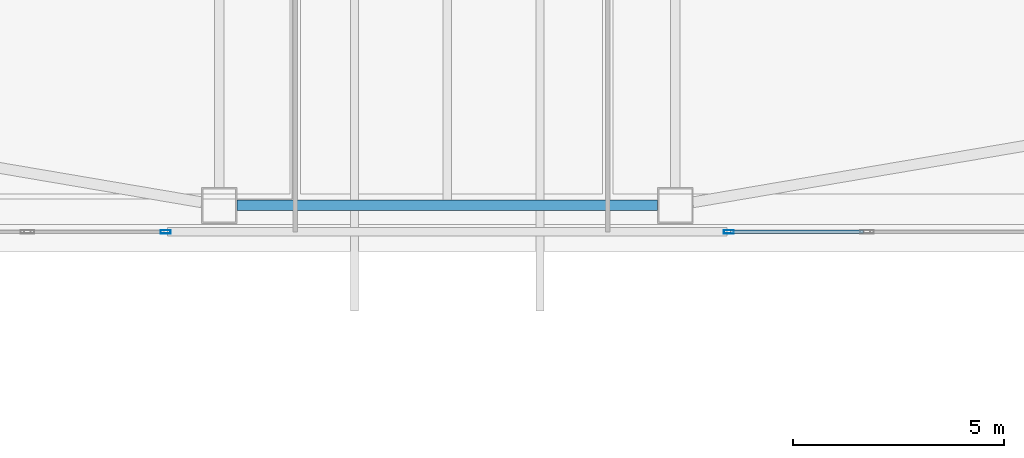
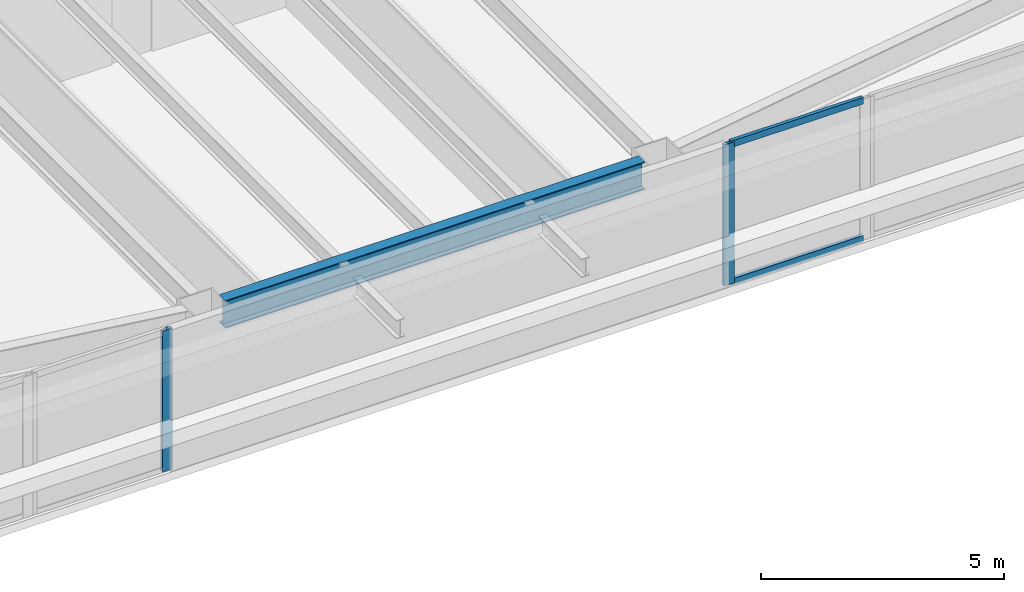
# One storey, part 5 of 46: 4 members, 1 beam, 2 elements without a shape of their own.
"""IFC4 building model written with IfcOpenShell, lengths in metres."""

from ifc_helpers import new_model, si_unit, direction, frame, origin, origin_2d, place, context, subcontext, project, spatial, hollow_rectangle, i_section, extrude, material, material_profile, profile_set, type_object, element, aggregate, save


model = new_model("IFC4")

# Units and contexts
model_context = context("Model", 3, precision=1e-05, world=origin(), true_north=direction((0.0, 1.0)))
body_context = subcontext(model_context, "Body", "Model", "MODEL_VIEW")
ifc_project = project(units=[si_unit("LENGTHUNIT", "METRE"), si_unit("AREAUNIT", "SQUARE_METRE"), si_unit("VOLUMEUNIT", "CUBIC_METRE"), si_unit("PLANEANGLEUNIT", "RADIAN"), si_unit("MASSUNIT", "GRAM", prefix="KILO")], contexts=[model_context])

# Site, building, storey
site_placement = place(None, origin())
site = spatial("IfcSite", under=ifc_project, at=site_placement, CompositionType="ELEMENT")
building_placement = place(site_placement, origin())
building = spatial("IfcBuilding", under=site, at=building_placement, Name="Tashvorn Skyway Center", CompositionType="ELEMENT")
storey_placement = place(building_placement, frame((0.0, 0.0, 31.699951171875)))
storey = spatial("IfcBuildingStorey", under=building, at=storey_placement, Name="L07", CompositionType="ELEMENT", Elevation=31.699951171875)

# Beam
ifc_material_1 = material(Name="Steel ASTM A992 Grade 50", Category="steel")
ifc_material_profile_1 = material_profile(ifc_material_1, i_section(OverallWidth=0.256103515625, OverallDepth=0.693115234375, WebThickness=0.014404296875, FlangeThickness=0.023681640625, at=origin_2d()), Name="W27X114")
ifc_profile_set_1 = profile_set([ifc_material_profile_1], Name="Steel ASTM A992 Grade 50")
beam_type = type_object("IfcBeamType", Name="BM-SPANDREL-W27X114", PredefinedType="SPANDREL", material=ifc_profile_set_1)
beam_placement = place(storey_placement, frame((37.02001953125, 9.75, 3.003662109375), z_axis=(1.0, 0.0, 0.0), x_axis=(0.0, 1.0, 0.0)))
element("IfcBeam", 1, at=beam_placement, inside=storey, type_object=beam_type, Name="Tower 1 L07 Spandrel Beam 02", PredefinedType="SPANDREL", context=body_context, shape_type="SweptSolid", body=[
    extrude(i_section(OverallWidth=0.256103515625, OverallDepth=0.693115234375, WebThickness=0.014404296875, FlangeThickness=0.023681640625, at=origin_2d()), origin(), (0.0, 0.0, 1.0), 9.9599609375),
])

# Curtain wall, member
ifc_material_2 = material(Name="Thermally broken bronze-anodized aluminium 6063-T6", Category="aluminium")
curtain_wall_type = type_object("IfcCurtainWallType", Name="CW-CW-Z1", PredefinedType="NOTDEFINED", material=ifc_material_2)
curtain_wall_1_placement = place(storey_placement, origin())
curtain_wall_1 = element("IfcCurtainWall", 2, at=curtain_wall_1_placement, inside=storey, type_object=curtain_wall_type, Name="Tower 1 L07 South Unitised Curtain Wall Glazing Group 2", PredefinedType="NOTDEFINED")
ifc_material_profile_2 = material_profile(ifc_material_2, hollow_rectangle(XDim=0.0849609375, YDim=0.239990234375, WallThickness=0.0048828125, at=origin_2d()), Name="ALU-MULL-85x240")
ifc_profile_set_2 = profile_set([ifc_material_profile_2], Name="Thermally broken bronze-anodized aluminium 6063-T6")
member_type_1 = type_object("IfcMemberType", Name="CWM-CW-Z1", PredefinedType="MULLION", material=ifc_profile_set_2)
member_1_placement = place(storey_placement, frame((48.669189453125, 9.1201171875, 0.0), z_axis=(0.0, 0.0, 1.0), x_axis=(0.0, -1.0, 0.0)))
member_1 = element("IfcMember", 3, at=member_1_placement, type_object=member_type_1, Name="CW-Z1 mullion 2", PredefinedType="MULLION", context=body_context, shape_type="SweptSolid", body=[
    extrude(hollow_rectangle(XDim=0.0849609375, YDim=0.239990234375, WallThickness=0.0048828125, at=origin_2d()), origin(), (0.0, 0.0, 1.0), 3.550048828125),
])

curtain_wall_2_placement = place(storey_placement, origin())
curtain_wall_2 = element("IfcCurtainWall", 4, at=curtain_wall_2_placement, inside=storey, type_object=curtain_wall_type, Name="Tower 1 L07 South Unitised Curtain Wall Glazing Group 3", PredefinedType="NOTDEFINED")
member_2_placement = place(storey_placement, frame((35.330810546875, 9.1201171875, 0.0), z_axis=(0.0, 0.0, 1.0), x_axis=(0.0, -1.0, 0.0)))
member_2 = element("IfcMember", 5, at=member_2_placement, type_object=member_type_1, Name="CW-Z1 mullion 1", PredefinedType="MULLION", context=body_context, shape_type="SweptSolid", body=[
    extrude(hollow_rectangle(XDim=0.0849609375, YDim=0.239990234375, WallThickness=0.0048828125, at=origin_2d()), origin(), (0.0, 0.0, 1.0), 3.550048828125),
])
aggregate(curtain_wall_2, [member_2])

# Member
ifc_material_profile_3 = material_profile(ifc_material_2, hollow_rectangle(XDim=0.0849609375, YDim=0.1650390625, WallThickness=0.0048828125, at=origin_2d()), Name="ALU-TRAN-85x165")
ifc_profile_set_3 = profile_set([ifc_material_profile_3], Name="Thermally broken bronze-anodized aluminium 6063-T6")
member_type_2 = type_object("IfcMemberType", Name="CWT-CW-Z1", PredefinedType="USERDEFINED", material=ifc_profile_set_3)
member_3_placement = place(storey_placement, frame((51.85498046875, 9.1201171875, 0.04248046875), z_axis=(-1.0, 0.0, 0.0), x_axis=(0.0, -1.0, 0.0)))
member_3 = element("IfcMember", 6, at=member_3_placement, type_object=member_type_2, Name="CW-Z1 transom 1.1", ObjectType="TRANSOM", PredefinedType="USERDEFINED", context=body_context, shape_type="SweptSolid", body=[
    extrude(hollow_rectangle(XDim=0.0849609375, YDim=0.1650390625, WallThickness=0.0048828125, at=origin_2d()), origin(), (0.0, 0.0, 1.0), 3.143310546875),
])

member_4_placement = place(storey_placement, frame((51.85498046875, 9.1201171875, 3.507568359375), z_axis=(-1.0, 0.0, 0.0), x_axis=(0.0, -1.0, 0.0)))
member_4 = element("IfcMember", 7, at=member_4_placement, type_object=member_type_2, Name="CW-Z1 transom 1.2", ObjectType="TRANSOM", PredefinedType="USERDEFINED", context=body_context, shape_type="SweptSolid", body=[
    extrude(hollow_rectangle(XDim=0.0849609375, YDim=0.1650390625, WallThickness=0.0048828125, at=origin_2d()), origin(), (0.0, 0.0, 1.0), 3.143310546875),
])

aggregate(curtain_wall_1, [member_1, member_3, member_4])

save(model, "model.ifc")
